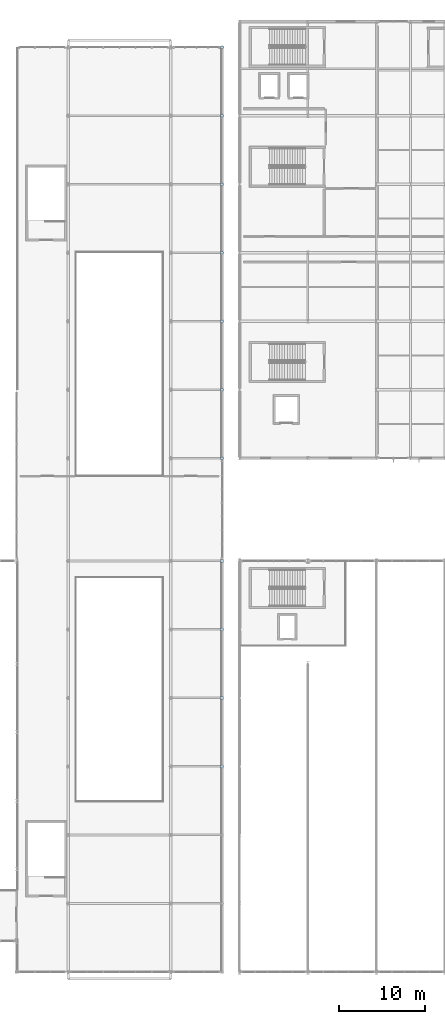
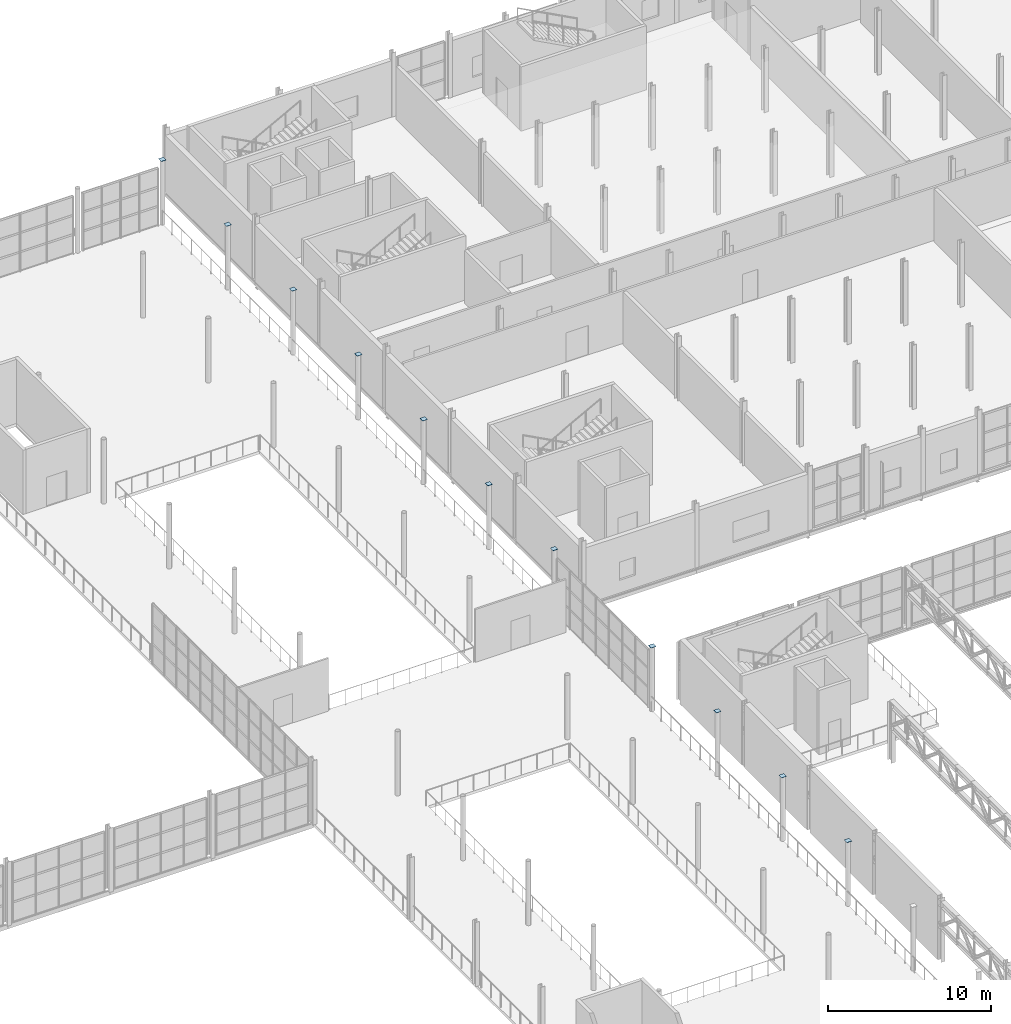
# One storey, part 121 of 143: 11 plates.
"""IFC4 building model written with IfcOpenShell, lengths in metres."""

from ifc_helpers import new_model, si_unit, derived_unit, direction, frame, origin, origin_2d, place, context, subcontext, project, spatial, rectangle, extrude, material, layer, layer_set, type_object, element, save


model = new_model("IFC4")

# Units and contexts
model_context = context("Model", 3, precision=1e-05, world=origin(), true_north=direction((0.0, 1.0)))
body_context = subcontext(model_context, "Body", "Model", "MODEL_VIEW")
ifc_project = project(units=[si_unit("LENGTHUNIT", "METRE"), si_unit("AREAUNIT", "SQUARE_METRE"), si_unit("VOLUMEUNIT", "CUBIC_METRE"), si_unit("PLANEANGLEUNIT", "RADIAN"), si_unit("MASSUNIT", "GRAM", prefix="KILO"), derived_unit("THERMALTRANSMITTANCEUNIT", [(si_unit("POWERUNIT", "WATT"), 1), (si_unit("LENGTHUNIT", "METRE"), -2), (si_unit("THERMODYNAMICTEMPERATUREUNIT", "KELVIN"), -1)])], contexts=[model_context])

# Site, building, storey
site_placement = place(None, origin())
site = spatial("IfcSite", under=ifc_project, at=site_placement, CompositionType="ELEMENT")
building_placement = place(site_placement, origin())
building = spatial("IfcBuilding", under=site, at=building_placement, Name="Keldorne Ridge Multi-Sports Centre", CompositionType="ELEMENT")
storey_placement = place(building_placement, frame((0.0, 0.0, 4.800048828125)))
storey = spatial("IfcBuildingStorey", under=building, at=storey_placement, Name="L01", CompositionType="ELEMENT", Elevation=4.800048828125)

# Plates
ifc_material = material(Name="Steel S355", Category="steel")
ifc_layer = layer(ifc_material, 0.01611328125)
ifc_layer_set = layer_set([ifc_layer], Name="Steel S355")
plate_type = type_object("IfcPlateType", Name="PLT-PL-EC1", PredefinedType="USERDEFINED", material=ifc_layer_set)
for number, where, z_axis, x_axis, name in (
    (1, (102.0, 30.0, 4.7998046875), (0.0, 0.0, 1.0), (1.0, 0.0, 0.0), "Passage column V4-G15-04 top welded closure plate"),
    (2, (102.0, 38.0, 4.7998046875), (0.0, 0.0, 1.0), (1.0, 0.0, 0.0), "Passage column V4-G15-05 top welded closure plate"),
    (3, (102.0, 46.0, 4.7998046875), (0.0, 0.0, 1.0), (1.0, 0.0, 0.0), "Passage column V4-G15-06 top welded closure plate"),
    (4, (102.0, 54.0, 4.7998046875), (0.0, 0.0, 1.0), (1.0, 0.0, 0.0), "Passage column V4-G15-07 top welded closure plate"),
    (5, (102.0, 66.0, 4.7998046875), (0.0, 0.0, 1.0), (1.0, 0.0, 0.0), "Passage column V4-G15-08 top welded closure plate"),
    (6, (102.0, 74.0, 4.7998046875), (0.0, 0.0, 1.0), (1.0, 0.0, 0.0), "Passage column V4-G15-09 top welded closure plate"),
    (7, (102.0, 82.0, 4.7998046875), (0.0, 0.0, 1.0), (1.0, 0.0, 0.0), "Passage column V4-G15-10 top welded closure plate"),
    (8, (102.0, 90.0, 4.7998046875), (0.0, 0.0, 1.0), (1.0, 0.0, 0.0), "Passage column V4-G15-11 top welded closure plate"),
    (9, (102.0, 98.0, 4.7998046875), (0.0, 0.0, 1.0), (1.0, 0.0, 0.0), "Passage column V4-G15-12 top welded closure plate"),
    (10, (102.0, 106.0, 4.7998046875), (0.0, 0.0, 1.0), (1.0, 0.0, 0.0), "Passage column V4-G15-13 top welded closure plate"),
    (11, (102.0, 114.0, 4.7998046875), (0.0, 0.0, 1.0), (1.0, 0.0, 0.0), "Passage column V4-G15-14 top welded closure plate"),
):
    element("IfcPlate", number, at=place(storey_placement, frame(where, z_axis=z_axis, x_axis=x_axis)), inside=storey, type_object=plate_type, Name=name, ObjectType="GUSSET PLATE", PredefinedType="USERDEFINED", context=body_context, shape_type="SweptSolid", body=[
        extrude(rectangle(XDim=0.340087890625, YDim=0.340087890625, at=origin_2d()), origin(), (0.0, 0.0, 1.0), 0.01611328125),
    ])

save(model, "model.ifc")
